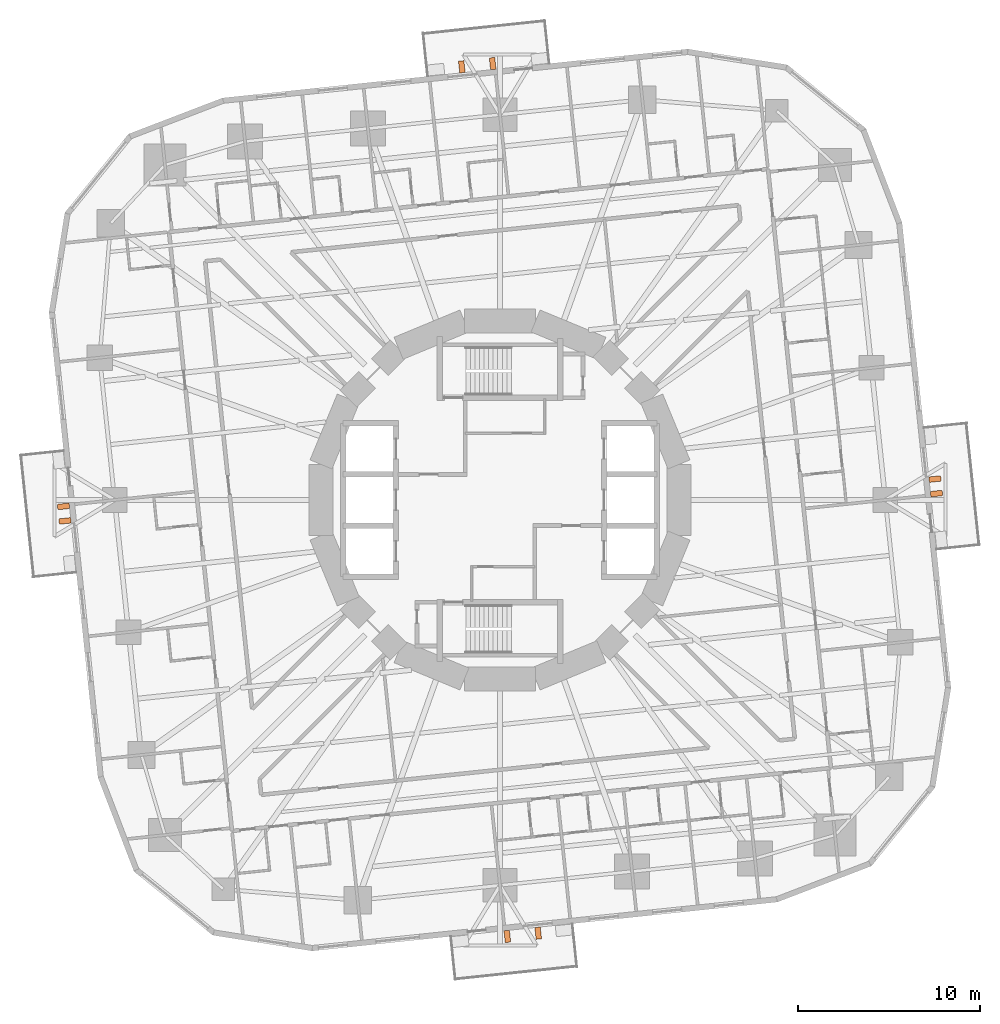
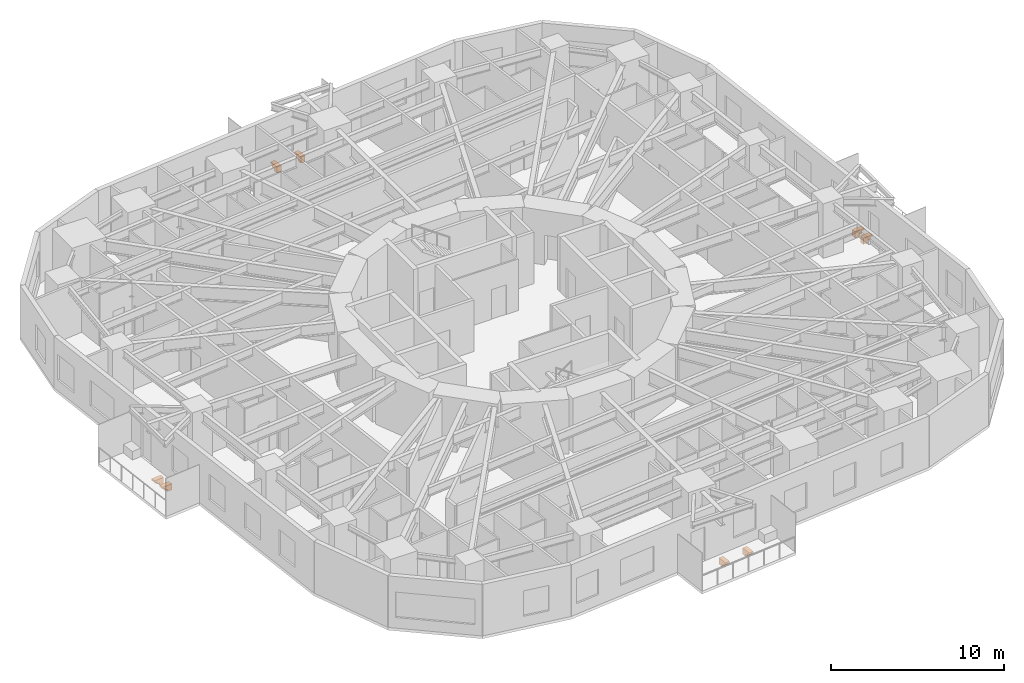
# One storey, part 13 of 13: 8 proxies.
"""IFC4 building model written with IfcOpenShell, lengths in metres."""

from ifc_helpers import new_model, si_unit, direction, frame, origin, place, context, subcontext, project, spatial, polyline, outline, extrude, material, type_object, element, save


model = new_model("IFC4")

# Units and contexts
model_context = context("Model", 3, precision=1e-05, world=origin(), true_north=direction((0.0, 1.0)))
body_context = subcontext(model_context, "Body", "Model", "MODEL_VIEW")
ifc_project = project(units=[si_unit("LENGTHUNIT", "METRE"), si_unit("AREAUNIT", "SQUARE_METRE"), si_unit("VOLUMEUNIT", "CUBIC_METRE"), si_unit("PLANEANGLEUNIT", "RADIAN"), si_unit("MASSUNIT", "GRAM", prefix="KILO")], contexts=[model_context])

# Site, building, storey
site_placement = place(None, origin())
site = spatial("IfcSite", under=ifc_project, at=site_placement, CompositionType="ELEMENT")
building_placement = place(site_placement, origin())
building = spatial("IfcBuilding", under=site, at=building_placement, Name="Nakasero Lantern House", CompositionType="ELEMENT")
storey_placement = place(building_placement, frame((0.0, 0.0, 79.75)))
storey = spatial("IfcBuildingStorey", under=building, at=storey_placement, Name="L19", CompositionType="ELEMENT", Elevation=79.75)

# Proxies
ifc_material = material(Name="Concrete C40/50 precast", Category="concrete")
building_element_proxy_type = type_object("IfcBuildingElementProxyType", Name="Balcony bracket 300", PredefinedType="USERDEFINED", material=ifc_material)
for number, where, z_axis, x_axis, name in (
    (1, (23.595947265625, 0.318115234375, -0.199951171875), (0.0, 0.0, 1.0), (0.994521895, 0.104528463, 0.0), "Balcony bracket L19 0A"),
    (2, (23.512451171875, 1.11376953125, -0.199951171875), (0.0, 0.0, 1.0), (0.994521895, 0.104528463, 0.0), "Balcony bracket L19 0B"),
    (3, (-0.367919921875, 23.5908203125, -0.199951171875), (0.0, 0.0, 1.0), (-0.104528463, 0.994521895, 0.0), "Balcony bracket L19 1A"),
    (4, (-2.05859375, 23.4130859375, -0.199951171875), (0.0, 0.0, 1.0), (-0.104528463, 0.994521895, 0.0), "Balcony bracket L19 1B"),
    (5, (-23.595947265625, -0.318115234375, -0.199951171875), (0.0, 0.0, 1.0), (-0.994521895, -0.104528463, 0.0), "Balcony bracket L19 2A"),
    (6, (-23.512451171875, -1.11376953125, -0.199951171875), (0.0, 0.0, 1.0), (-0.994521895, -0.104528463, 0.0), "Balcony bracket L19 2B"),
    (7, (0.367919921875, -23.5908203125, -0.199951171875), (0.0, 0.0, 1.0), (0.104528463, -0.994521895, 0.0), "Balcony bracket L19 3A"),
    (8, (2.05859375, -23.4130859375, -0.199951171875), (0.0, 0.0, 1.0), (0.104528463, -0.994521895, 0.0), "Balcony bracket L19 3B"),
):
    element("IfcBuildingElementProxy", number, at=place(storey_placement, frame(where, z_axis=z_axis, x_axis=x_axis)), inside=storey, type_object=building_element_proxy_type, Name=name, ObjectType="BALCONY BRACKET", PredefinedType="USERDEFINED", context=body_context, shape_type="SweptSolid", body=[
        extrude(outline(polyline([(0.0, 0.0), (0.64990234375, 0.0), (0.64990234375, -0.1201171875), (0.5, -0.1201171875), (0.5, -0.280029296875), (0.300048828125, -0.280029296875), (0.300048828125, -0.43994140625), (0.0, -0.43994140625), (0.0, 0.0)])), frame((0.0, 0.14990234375, 0.0), z_axis=(0.0, -1.0, 0.0), x_axis=(1.0, 0.0, 0.0)), (0.0, 0.0, 1.0), 0.300048828125),
    ])

save(model, "model.ifc")
